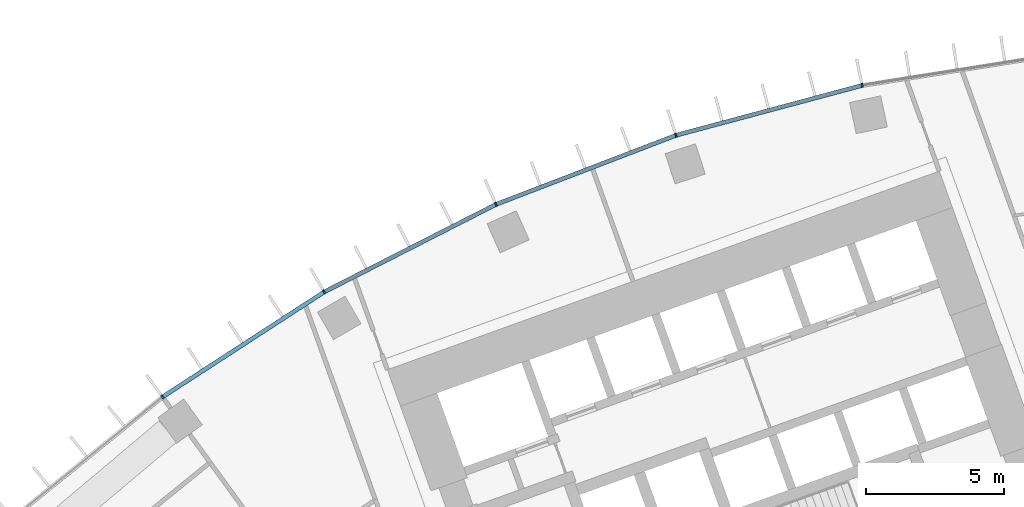
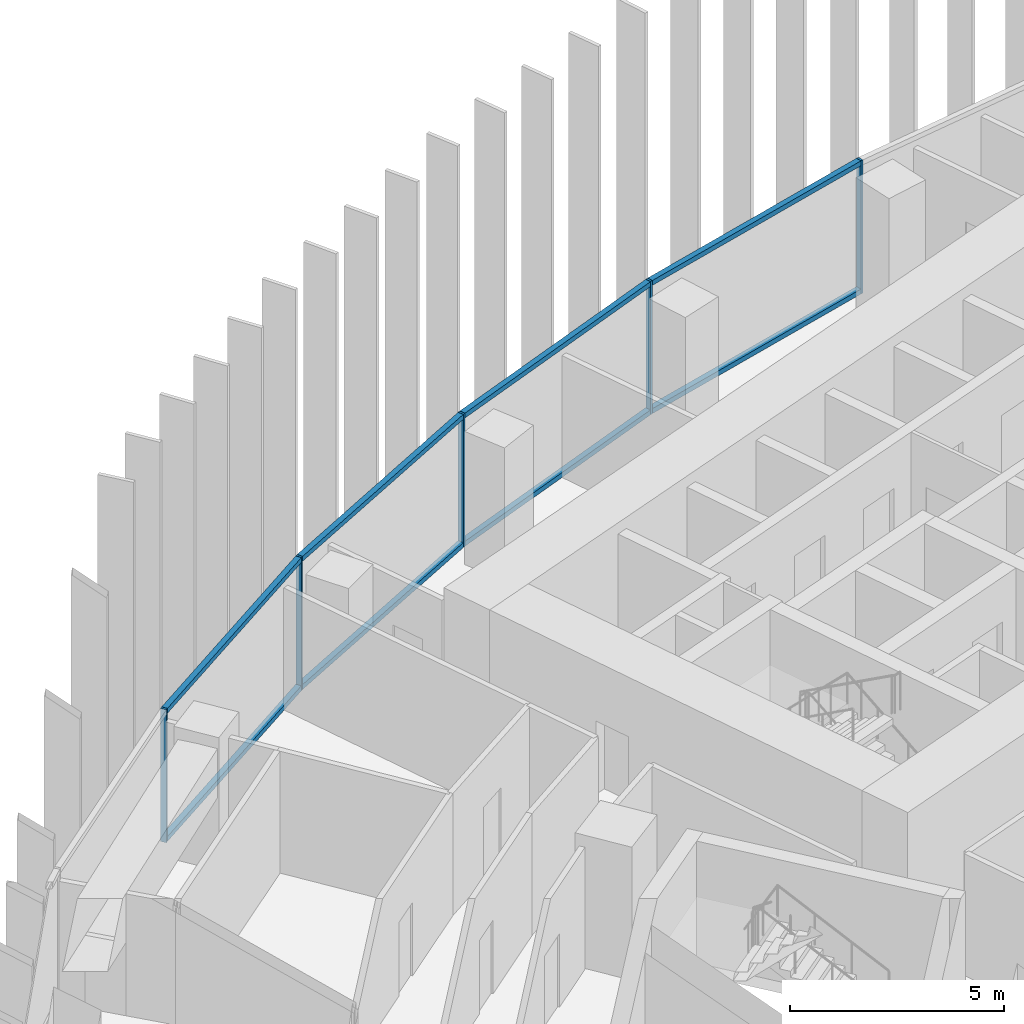
# One storey, part 7 of 23: 13 members, 1 element without a shape of its own.
"""IFC4 building model written with IfcOpenShell, lengths in metres."""

from ifc_helpers import new_model, si_unit, direction, frame, origin, origin_2d, place, context, subcontext, project, spatial, rectangle, extrude, material, layer, layer_set, material_profile, profile_set, type_object, element, aggregate, save


model = new_model("IFC4")

# Units and contexts
model_context = context("Model", 3, precision=1e-05, world=origin(), true_north=direction((0.0, 1.0)))
body_context = subcontext(model_context, "Body", "Model", "MODEL_VIEW")
ifc_project = project(units=[si_unit("LENGTHUNIT", "METRE"), si_unit("AREAUNIT", "SQUARE_METRE"), si_unit("VOLUMEUNIT", "CUBIC_METRE"), si_unit("PLANEANGLEUNIT", "RADIAN"), si_unit("MASSUNIT", "GRAM", prefix="KILO")], contexts=[model_context])

# Site, building, storey
site_placement = place(None, origin())
site = spatial("IfcSite", under=ifc_project, at=site_placement, CompositionType="ELEMENT")
building_placement = place(site_placement, origin())
building = spatial("IfcBuilding", under=site, at=building_placement, Name="Stone Belt Terrace Tower", CompositionType="ELEMENT")
storey_placement = place(building_placement, frame((0.0, 0.0, 98.39990234375)))
storey = spatial("IfcBuildingStorey", under=building, at=storey_placement, Name="L23", CompositionType="ELEMENT", Elevation=98.39990234375)

# Curtain wall, members
ifc_material = material(Name="Aluminium 6063-T6 anodised frame", Category="aluminium")
ifc_layer = layer(ifc_material, 0.14990234375)
ifc_layer_set = layer_set([ifc_layer], Name="CW-A unitised convex-face curtain wall")
curtain_wall_type = type_object("IfcCurtainWallType", Name="CW-A unitised convex-face curtain wall", PredefinedType="NOTDEFINED", material=ifc_layer_set)
curtain_wall_placement = place(storey_placement, origin())
curtain_wall = element("IfcCurtainWall", 1, at=curtain_wall_placement, inside=storey, type_object=curtain_wall_type, Name="CW-A convex face L23", PredefinedType="NOTDEFINED")
ifc_material_profile_1 = material_profile(ifc_material, rectangle(XDim=0.14990234375, YDim=0.06005859375, at=origin_2d()), Name="Aluminium 6063-T6 60x150")
ifc_profile_set_1 = profile_set([ifc_material_profile_1], Name="Aluminium 6063-T6 anodised frame")
member_type_1 = type_object("IfcMemberType", Name="CW-A mullion 60 x 150", PredefinedType="MULLION", material=ifc_profile_set_1)
member_1_placement = place(storey_placement, frame((-13.841796875, 65.120361328125, 0.0), z_axis=(0.0, 0.0, 1.0), x_axis=(0.207911690818, -0.978147600734, 0.0)))
member_1 = element("IfcMember", 2, at=member_1_placement, type_object=member_type_1, Name="CW-A mullion 12", PredefinedType="MULLION", context=body_context, shape_type="SweptSolid", body=[
    extrude(rectangle(XDim=0.14990234375, YDim=0.06005859375, at=origin_2d()), origin(), (0.0, 0.0, 1.0), 3.800048828125),
])
member_2_placement = place(storey_placement, frame((-20.57275390625, 63.316650390625, 0.0), z_axis=(0.0, 0.0, 1.0), x_axis=(0.309016994375, -0.951056516295, 0.0)))
member_2 = element("IfcMember", 3, at=member_2_placement, type_object=member_type_1, Name="CW-A mullion 13", PredefinedType="MULLION", context=body_context, shape_type="SweptSolid", body=[
    extrude(rectangle(XDim=0.14990234375, YDim=0.06005859375, at=origin_2d()), origin(), (0.0, 0.0, 1.0), 3.800048828125),
])
member_3_placement = place(storey_placement, frame((-27.07861328125, 60.8193359375, 0.0), z_axis=(0.0, 0.0, 1.0), x_axis=(0.406736643076, -0.913545457643, 0.0)))
member_3 = element("IfcMember", 4, at=member_3_placement, type_object=member_type_1, Name="CW-A mullion 14", PredefinedType="MULLION", context=body_context, shape_type="SweptSolid", body=[
    extrude(rectangle(XDim=0.14990234375, YDim=0.06005859375, at=origin_2d()), origin(), (0.0, 0.0, 1.0), 3.800048828125),
])
member_4_placement = place(storey_placement, frame((-33.28759765625, 57.65576171875, 0.0), z_axis=(0.0, 0.0, 1.0), x_axis=(0.5, -0.866025403784, 0.0)))
member_4 = element("IfcMember", 5, at=member_4_placement, type_object=member_type_1, Name="CW-A mullion 15", PredefinedType="MULLION", context=body_context, shape_type="SweptSolid", body=[
    extrude(rectangle(XDim=0.14990234375, YDim=0.06005859375, at=origin_2d()), origin(), (0.0, 0.0, 1.0), 3.800048828125),
])
member_5_placement = place(storey_placement, frame((-39.1318359375, 53.8603515625, 0.0), z_axis=(0.0, 0.0, 1.0), x_axis=(0.587785252292, -0.809016994375, 0.0)))
member_5 = element("IfcMember", 6, at=member_5_placement, type_object=member_type_1, Name="CW-A mullion 16", PredefinedType="MULLION", context=body_context, shape_type="SweptSolid", body=[
    extrude(rectangle(XDim=0.14990234375, YDim=0.06005859375, at=origin_2d()), origin(), (0.0, 0.0, 1.0), 3.800048828125),
])
ifc_material_profile_2 = material_profile(ifc_material, rectangle(XDim=0.14990234375, YDim=0.139892578125, at=origin_2d()), Name="Aluminium 6063-T6 150x140")
ifc_profile_set_2 = profile_set([ifc_material_profile_2], Name="Aluminium 6063-T6 anodised frame")
member_type_2 = type_object("IfcMemberType", Name="CW-A transom 140 x 150", PredefinedType="USERDEFINED", material=ifc_profile_set_2)
member_6_placement = place(storey_placement, frame((-13.87451171875, 65.111572265625, 0.070068359375), z_axis=(-0.965921835863, -0.258833937117, 0.0), x_axis=(0.258833937117, -0.965921835863, 0.0)))
member_6 = element("IfcMember", 7, at=member_6_placement, type_object=member_type_2, Name="CW-A transom 12.1", ObjectType="TRANSOM", PredefinedType="USERDEFINED", context=body_context, shape_type="SweptSolid", body=[
    extrude(rectangle(XDim=0.14990234375, YDim=0.139892578125, at=origin_2d()), origin(), (0.0, 0.0, 1.0), 6.900634765625),
])
member_7_placement = place(storey_placement, frame((-13.87451171875, 65.111572265625, 3.72998046875), z_axis=(-0.965921835863, -0.258833937117, 0.0), x_axis=(0.258833937117, -0.965921835863, 0.0)))
member_7 = element("IfcMember", 8, at=member_7_placement, type_object=member_type_2, Name="CW-A transom 12.2", ObjectType="TRANSOM", PredefinedType="USERDEFINED", context=body_context, shape_type="SweptSolid", body=[
    extrude(rectangle(XDim=0.14990234375, YDim=0.139892578125, at=origin_2d()), origin(), (0.0, 0.0, 1.0), 6.900634765625),
])
member_8_placement = place(storey_placement, frame((-20.6044921875, 63.304443359375, 0.070068359375), z_axis=(-0.933585210269, -0.358355487146, 0.0), x_axis=(0.358355487146, -0.933585210269, 0.0)))
member_8 = element("IfcMember", 9, at=member_8_placement, type_object=member_type_2, Name="CW-A transom 13.1", ObjectType="TRANSOM", PredefinedType="USERDEFINED", context=body_context, shape_type="SweptSolid", body=[
    extrude(rectangle(XDim=0.14990234375, YDim=0.139892578125, at=origin_2d()), origin(), (0.0, 0.0, 1.0), 6.900634765625),
])
member_9_placement = place(storey_placement, frame((-20.6044921875, 63.304443359375, 3.72998046875), z_axis=(-0.933585210269, -0.358355487146, 0.0), x_axis=(0.358355487146, -0.933585210269, 0.0)))
member_9 = element("IfcMember", 10, at=member_9_placement, type_object=member_type_2, Name="CW-A transom 13.2", ObjectType="TRANSOM", PredefinedType="USERDEFINED", context=body_context, shape_type="SweptSolid", body=[
    extrude(rectangle(XDim=0.14990234375, YDim=0.139892578125, at=origin_2d()), origin(), (0.0, 0.0, 1.0), 6.900634765625),
])
member_10_placement = place(storey_placement, frame((-27.108642578125, 60.803955078125, 0.070068359375), z_axis=(-0.891012226264, -0.453979308613, 0.0), x_axis=(0.453979308613, -0.891012226264, 0.0)))
member_10 = element("IfcMember", 11, at=member_10_placement, type_object=member_type_2, Name="CW-A transom 14.1", ObjectType="TRANSOM", PredefinedType="USERDEFINED", context=body_context, shape_type="SweptSolid", body=[
    extrude(rectangle(XDim=0.14990234375, YDim=0.139892578125, at=origin_2d()), origin(), (0.0, 0.0, 1.0), 6.90087890625),
])
member_11_placement = place(storey_placement, frame((-27.108642578125, 60.803955078125, 3.72998046875), z_axis=(-0.891012226264, -0.453979308613, 0.0), x_axis=(0.453979308613, -0.891012226264, 0.0)))
member_11 = element("IfcMember", 12, at=member_11_placement, type_object=member_type_2, Name="CW-A transom 14.2", ObjectType="TRANSOM", PredefinedType="USERDEFINED", context=body_context, shape_type="SweptSolid", body=[
    extrude(rectangle(XDim=0.14990234375, YDim=0.139892578125, at=origin_2d()), origin(), (0.0, 0.0, 1.0), 6.90087890625),
])
member_12_placement = place(storey_placement, frame((-33.31591796875, 57.63720703125, 0.070068359375), z_axis=(-0.83868440714, -0.544617723931, 0.0), x_axis=(0.544617723931, -0.83868440714, 0.0)))
member_12 = element("IfcMember", 13, at=member_12_placement, type_object=member_type_2, Name="CW-A transom 15.1", ObjectType="TRANSOM", PredefinedType="USERDEFINED", context=body_context, shape_type="SweptSolid", body=[
    extrude(rectangle(XDim=0.14990234375, YDim=0.139892578125, at=origin_2d()), origin(), (0.0, 0.0, 1.0), 6.90087890625),
])
member_13_placement = place(storey_placement, frame((-33.31591796875, 57.63720703125, 3.72998046875), z_axis=(-0.83868440714, -0.544617723931, 0.0), x_axis=(0.544617723931, -0.83868440714, 0.0)))
member_13 = element("IfcMember", 14, at=member_13_placement, type_object=member_type_2, Name="CW-A transom 15.2", ObjectType="TRANSOM", PredefinedType="USERDEFINED", context=body_context, shape_type="SweptSolid", body=[
    extrude(rectangle(XDim=0.14990234375, YDim=0.139892578125, at=origin_2d()), origin(), (0.0, 0.0, 1.0), 6.90087890625),
])
aggregate(curtain_wall, [member_1, member_2, member_3, member_4, member_5, member_6, member_7, member_8, member_9, member_10, member_11, member_12, member_13])

save(model, "model.ifc")
